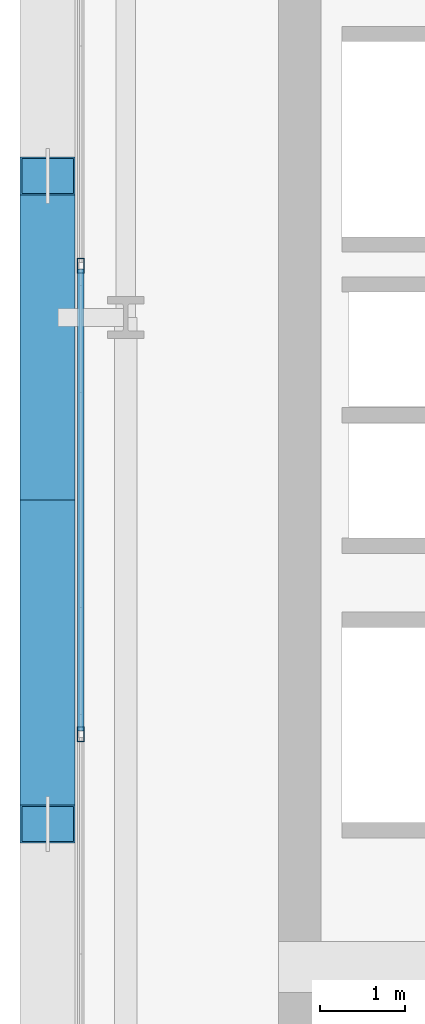
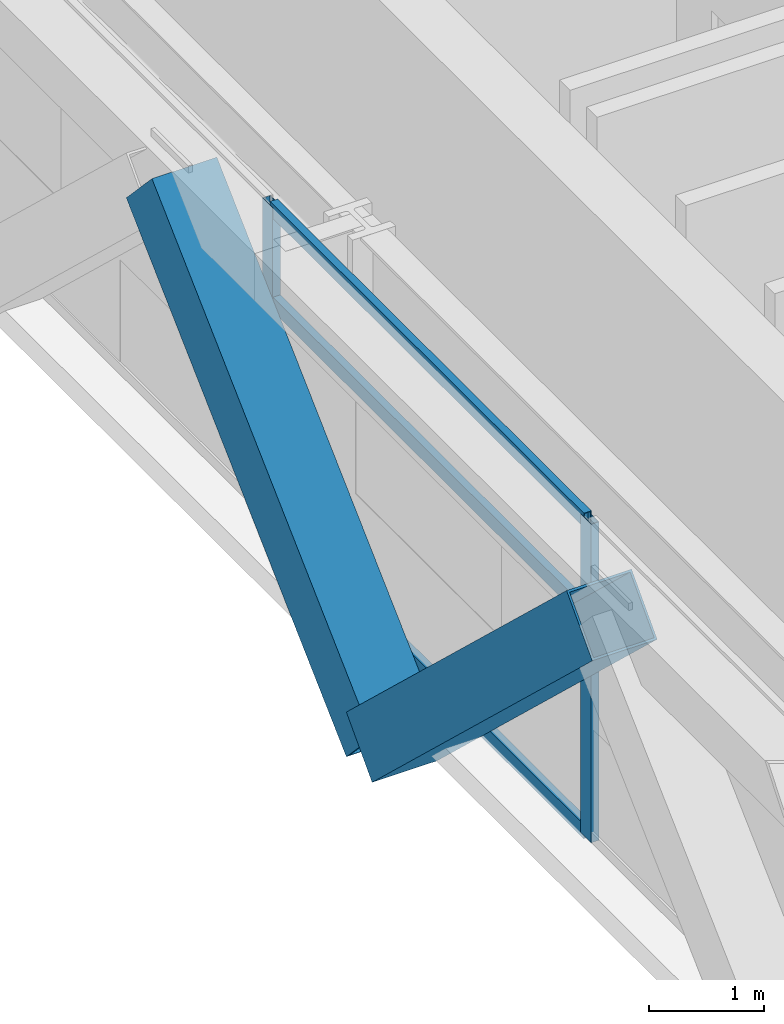
# One storey, part 8 of 37: 7 members, 1 element without a shape of its own.
"""IFC4 building model written with IfcOpenShell, lengths in metres."""

from ifc_helpers import new_model, si_unit, direction, frame, origin, origin_2d, place, context, subcontext, project, spatial, hollow_rectangle, extrude, source, transform, mapped, material, layer, layer_set, material_profile, profile_set, type_object, element, aggregate, save


model = new_model("IFC4")

# Units and contexts
model_context = context("Model", 3, precision=1e-05, world=origin(), true_north=direction((0.0, 1.0)))
body_context = subcontext(model_context, "Body", "Model", "MODEL_VIEW")
ifc_project = project(units=[si_unit("LENGTHUNIT", "METRE"), si_unit("AREAUNIT", "SQUARE_METRE"), si_unit("VOLUMEUNIT", "CUBIC_METRE"), si_unit("PLANEANGLEUNIT", "RADIAN"), si_unit("MASSUNIT", "GRAM", prefix="KILO")], contexts=[model_context])

# Site, building, storey
site_placement = place(None, origin())
site = spatial("IfcSite", under=ifc_project, at=site_placement, CompositionType="ELEMENT")
building_placement = place(site_placement, origin())
building = spatial("IfcBuilding", under=site, at=building_placement, Name="Ocotamira Hotel", CompositionType="ELEMENT")
storey_placement = place(building_placement, frame((0.0, 0.0, 192.0)))
storey = spatial("IfcBuildingStorey", under=building, at=storey_placement, Name="L48", CompositionType="ELEMENT", Elevation=192.0)

# Members
ifc_material_1 = material(Name="Pale-metal coated steel ASTM A913 Grade 65", Category="steel")
ifc_material_profile_1 = material_profile(ifc_material_1, hollow_rectangle(XDim=0.64990234375, YDim=0.64990234375, WallThickness=0.02197265625, at=origin_2d()), Name="BOX650X650X22")
ifc_profile_set_1 = profile_set([ifc_material_profile_1], Name="Pale-metal coated steel ASTM A913 Grade 65")
member_type_1 = type_object("IfcMemberType", Name="MEM-EXO-BOX650", PredefinedType="BRACE", material=ifc_profile_set_1)
shared_shape_1 = source(origin(), body_context, "Body", "SweptSolid", [
    extrude(hollow_rectangle(XDim=0.64990234375, YDim=0.64990234375, WallThickness=0.02197265625, at=origin_2d()), origin(), (0.0, 0.0, 1.0), 5.24658203125),
])
for number, where, z_axis, x_axis, name in (
    (1, (8.030029296875, 26.0, -0.47998046875), (0.0, -0.727442733726, 0.686168397078), (1.0, 0.0, 0.0), "L48 Exoskeleton Diagrid W1.1"),
    (2, (8.030029296875, 26.0, -0.47998046875), (0.0, 0.727442733726, 0.686168397078), (-1.0, 0.0, 0.0), "L48 Exoskeleton Diagrid W1.2"),
):
    element("IfcMember", number, at=place(storey_placement, frame(where, z_axis=z_axis, x_axis=x_axis)), inside=storey, type_object=member_type_1, Name=name, PredefinedType="BRACE", context=body_context, shape_type="MappedRepresentation", body=[
        mapped(shared_shape_1, transform((0.0, 0.0, 0.0), scale=1.0)),
    ])

# Curtain wall, members
ifc_material_2 = material(Name="Anodised pale-metal aluminium and solar glass", Category="aluminium")
ifc_layer = layer(ifc_material_2, 0.199951171875)
ifc_layer_set = layer_set([ifc_layer], Name="Anodised pale-metal aluminium and solar glass")
curtain_wall_type = type_object("IfcCurtainWallType", Name="CW-SYS4-Z3", PredefinedType="NOTDEFINED", material=ifc_layer_set)
curtain_wall_placement = place(storey_placement, origin())
curtain_wall = element("IfcCurtainWall", 3, at=curtain_wall_placement, inside=storey, type_object=curtain_wall_type, Name="L48 Curtain Wall CW-4 CW-L48-W", PredefinedType="NOTDEFINED")
ifc_material_3 = material(Name="Anodised pale-metal aluminium 6063-T6", Category="aluminium")
ifc_material_profile_2 = material_profile(ifc_material_3, hollow_rectangle(XDim=0.080078125, YDim=0.179931640625, WallThickness=0.006103515625, at=origin_2d()), Name="HSS180X80X6")
ifc_profile_set_2 = profile_set([ifc_material_profile_2], Name="Anodised pale-metal aluminium 6063-T6")
member_type_2 = type_object("IfcMemberType", Name="CWM-180X75", PredefinedType="MULLION", material=ifc_profile_set_2)
shared_shape_2 = source(origin(), body_context, "Body", "SweptSolid", [
    extrude(hollow_rectangle(XDim=0.080078125, YDim=0.179931640625, WallThickness=0.006103515625, at=origin_2d()), origin(), (0.0, 0.0, 1.0), 3.3701171875),
])
member_1_placement = place(storey_placement, frame((8.419921875, 23.239990234375, 0.0), z_axis=(0.0, 0.0, 1.0), x_axis=(-1.0, 0.0, 0.0)))
member_1 = element("IfcMember", 4, at=member_1_placement, type_object=member_type_2, Name="CW-4 mullion 3", PredefinedType="MULLION", context=body_context, shape_type="MappedRepresentation", body=[
    mapped(shared_shape_2, transform((0.0, 0.0, 0.0), scale=1.0)),
])
member_2_placement = place(storey_placement, frame((8.419921875, 28.760009765625, 0.0), z_axis=(0.0, 0.0, 1.0), x_axis=(-1.0, 0.0, 0.0)))
member_2 = element("IfcMember", 5, at=member_2_placement, type_object=member_type_2, Name="CW-4 mullion 4", PredefinedType="MULLION", context=body_context, shape_type="MappedRepresentation", body=[
    mapped(shared_shape_2, transform((0.0, 0.0, 0.0), scale=1.0)),
])
ifc_material_profile_3 = material_profile(ifc_material_3, hollow_rectangle(XDim=0.074951171875, YDim=0.14990234375, WallThickness=0.006103515625, at=origin_2d()), Name="HSS150X75X6")
ifc_profile_set_3 = profile_set([ifc_material_profile_3], Name="Anodised pale-metal aluminium 6063-T6")
member_type_3 = type_object("IfcMemberType", Name="CWT-150X75", PredefinedType="USERDEFINED", material=ifc_profile_set_3)
shared_shape_3 = source(origin(), body_context, "Body", "SweptSolid", [
    extrude(hollow_rectangle(XDim=0.074951171875, YDim=0.14990234375, WallThickness=0.006103515625, at=origin_2d()), origin(), (0.0, 0.0, 1.0), 5.43994140625),
])
member_3_placement = place(storey_placement, frame((8.419921875, 23.280029296875, 0.03759765625), z_axis=(0.0, 1.0, 0.0), x_axis=(-1.0, 0.0, 0.0)))
member_3 = element("IfcMember", 6, at=member_3_placement, type_object=member_type_3, Name="CW-4 transom 3.1", ObjectType="TRANSOM", PredefinedType="USERDEFINED", context=body_context, shape_type="MappedRepresentation", body=[
    mapped(shared_shape_3, transform((0.0, 0.0, 0.0), scale=1.0)),
])
member_4_placement = place(storey_placement, frame((8.419921875, 23.280029296875, 2.35009765625), z_axis=(0.0, 1.0, 0.0), x_axis=(-1.0, 0.0, 0.0)))
member_4 = element("IfcMember", 7, at=member_4_placement, type_object=member_type_3, Name="CW-4 transom 3.2", ObjectType="TRANSOM", PredefinedType="USERDEFINED", context=body_context, shape_type="MappedRepresentation", body=[
    mapped(shared_shape_3, transform((0.0, 0.0, 0.0), scale=1.0)),
])
member_5_placement = place(storey_placement, frame((8.419921875, 23.280029296875, 3.33251953125), z_axis=(0.0, 1.0, 0.0), x_axis=(-1.0, 0.0, 0.0)))
member_5 = element("IfcMember", 8, at=member_5_placement, type_object=member_type_3, Name="CW-4 transom 3.3", ObjectType="TRANSOM", PredefinedType="USERDEFINED", context=body_context, shape_type="MappedRepresentation", body=[
    mapped(shared_shape_3, transform((0.0, 0.0, 0.0), scale=1.0)),
])
aggregate(curtain_wall, [member_1, member_2, member_3, member_4, member_5])

save(model, "model.ifc")
